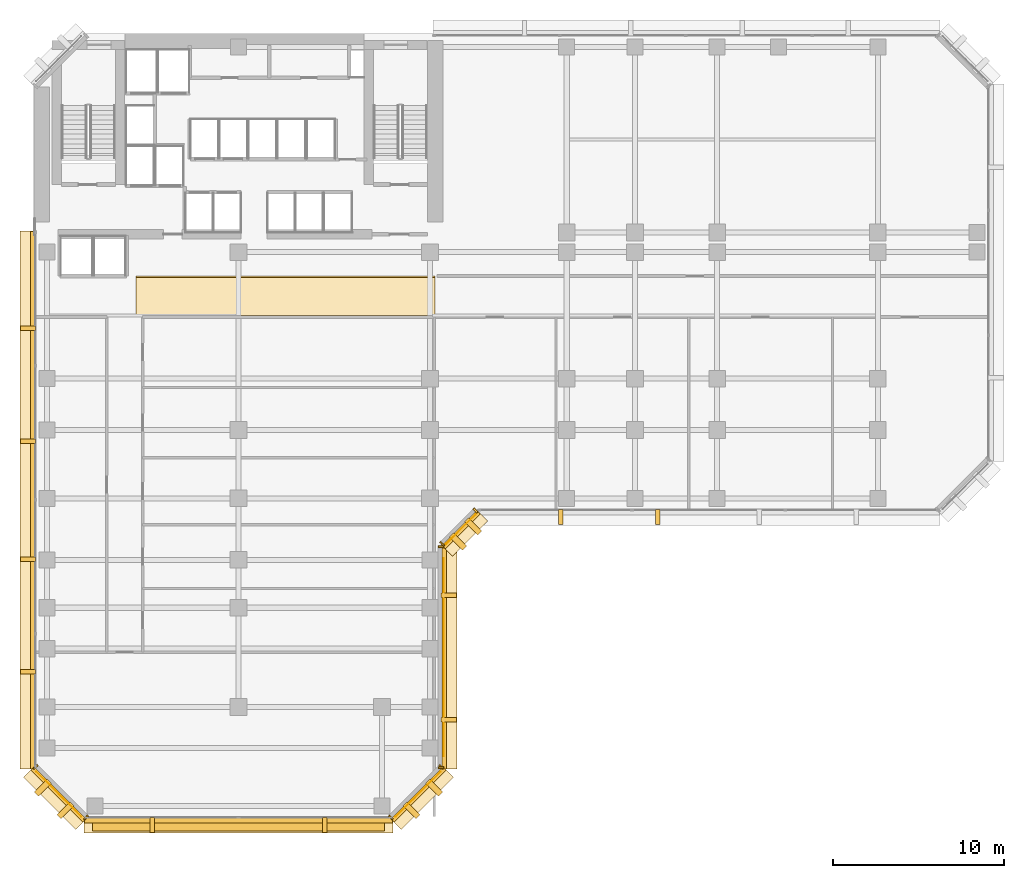
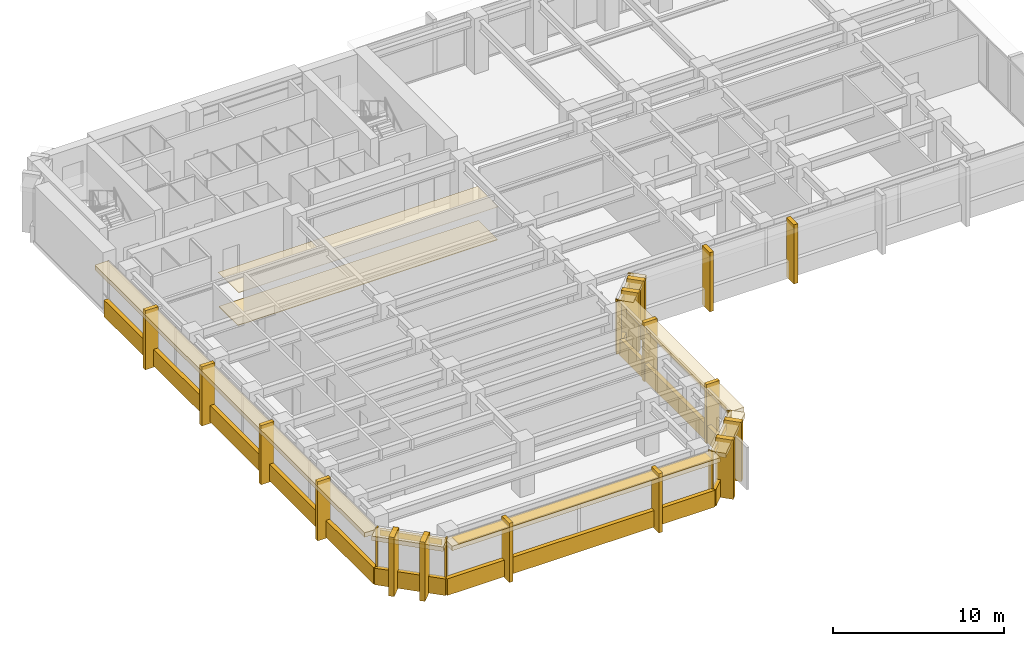
# One storey, part 9 of 13: 42 coverings, 1 shading device.
"""IFC4 building model written with IfcOpenShell, lengths in metres."""

import ifcopenshell
import ifcopenshell.guid

model = None  # the IFC model being written
_history = None  # IfcOwnerHistory: only IFC2X3 demands one
_inside = {}  # id of a spatial element -> (the spatial element, [elements in it])
_under = {}  # id of a project, library or spatial element -> (it, [spatial elements below it])
_declared = {}  # id of a project -> (the project, [libraries it declares])
_typed = {}  # id of a type object -> (the type object, [elements of that type])
_made_of = {}  # id of a material, layer set ... -> (it, [elements and type objects made of it])


def new_model(schema):
    """Start an empty IFC model of exactly this schema.

    Asked for "IFC4X3", IfcOpenShell would pick the latest addendum, in which some entities
    have other attributes; the version numbers below select the first issue.
    IFC2X3 requires an IfcOwnerHistory on every rooted entity: one is made here for all.
    """
    global model, _history
    if schema == "IFC4X3":
        model = ifcopenshell.file(schema_version=(4, 3, 0, 0))
    else:
        model = ifcopenshell.file(schema=schema)
    _inside.clear()
    _under.clear()
    _declared.clear()
    _typed.clear()
    _made_of.clear()
    _history = None
    if model.schema == "IFC2X3":
        org = make("IfcOrganization", Name="unknown")
        user = make(
            "IfcPersonAndOrganization",
            ThePerson=make("IfcPerson", FamilyName="unknown"),
            TheOrganization=org,
        )
        app = make(
            "IfcApplication",
            ApplicationDeveloper=org,
            Version="unknown",
            ApplicationFullName="unknown",
            ApplicationIdentifier="unknown",
        )
        _history = make(
            "IfcOwnerHistory",
            OwningUser=user,
            OwningApplication=app,
            ChangeAction="ADDED",
            CreationDate=0,
        )
    return model


def make(cls, **values):
    """One entity of the class cls with the attributes given. An attribute that is None is left unset."""
    return model.create_entity(
        cls, **{name: value for name, value in values.items() if value is not None}
    )


def rooted(cls, **values):
    """An entity with a GlobalId (a new one), such as an element, a storey or a relation."""
    return make(cls, GlobalId=ifcopenshell.guid.new(), OwnerHistory=_history, **values)


def si_unit(unit_type, name, prefix=None):
    """IfcSIUnit, for example si_unit("LENGTHUNIT", "METRE", prefix="MILLI")."""
    return make("IfcSIUnit", UnitType=unit_type, Prefix=prefix, Name=name)


def assignment(units):
    """IfcUnitAssignment: the units of a project."""
    return None if units is None else make("IfcUnitAssignment", Units=units)


def point(xyz):
    """IfcCartesianPoint."""
    return None if xyz is None else make("IfcCartesianPoint", Coordinates=xyz)


def direction(xyz):
    """IfcDirection."""
    return None if xyz is None else make("IfcDirection", DirectionRatios=xyz)


def frame(location, z_axis=None, x_axis=None):
    """IfcAxis2Placement3D, a coordinate frame: its origin and axes. An axis left out is left unset."""
    return make(
        "IfcAxis2Placement3D",
        Location=point(location),
        Axis=direction(z_axis),
        RefDirection=direction(x_axis),
    )


def frame_2d(location, x_axis=None):
    """IfcAxis2Placement2D, a coordinate frame in the plane: its origin and x axis."""
    return make(
        "IfcAxis2Placement2D", Location=point(location), RefDirection=direction(x_axis)
    )


def origin():
    """The frame at (0, 0, 0) with its axes left unset."""
    return frame((0.0, 0.0, 0.0))


def origin_2d():
    """The frame at (0, 0) in the plane with its x axis left unset."""
    return frame_2d((0.0, 0.0))


def place(relative_to, where):
    """IfcLocalPlacement: puts the frame where relative to a parent placement (None: the world)."""
    return make(
        "IfcLocalPlacement", PlacementRelTo=relative_to, RelativePlacement=where
    )


def context(
    kind, dimensions, precision=None, world=None, true_north=None, identifier=None
):
    """IfcGeometricRepresentationContext, for example the 3D "Model" context."""
    return make(
        "IfcGeometricRepresentationContext",
        ContextIdentifier=identifier,
        ContextType=kind,
        CoordinateSpaceDimension=dimensions,
        Precision=precision,
        WorldCoordinateSystem=world,
        TrueNorth=true_north,
    )


def subcontext(parent, identifier, kind, view, scale=None):
    """IfcGeometricRepresentationSubContext, for example "Body" below "Model"."""
    return make(
        "IfcGeometricRepresentationSubContext",
        ContextIdentifier=identifier,
        ContextType=kind,
        ParentContext=parent,
        TargetScale=scale,
        TargetView=view,
    )


def project(units=None, contexts=None):
    """IfcProject with its units and contexts."""
    return rooted(
        "IfcProject",
        Name="project",
        RepresentationContexts=contexts,
        UnitsInContext=assignment(units),
    )


def spatial(cls, under=None, at=None, **own):
    """A site, building, storey or space (cls), placed at a placement, below another one or the project."""
    s = rooted(cls, ObjectPlacement=at, **own)
    if under is not None:
        _under.setdefault(under.id(), (under, []))[1].append(s)
    return s


def polyline(points):
    """IfcPolyline through the points."""
    return make("IfcPolyline", Points=[point(p) for p in points])


def profile(cls, at=None, kind="AREA", **sizes):
    """A parametric profile (cls). Its sizes go by their IFC names, for example OverallWidth=200.0."""
    return make(cls, ProfileType=kind, Position=at, **sizes)


def rectangle(**sizes):
    """IfcRectangleProfileDef."""
    return profile("IfcRectangleProfileDef", **sizes)


def outline(outer, holes=None, kind="AREA"):
    """IfcArbitraryClosedProfileDef: a profile drawn as a closed curve; with holes, ...WithVoids."""
    if holes is None:
        return make("IfcArbitraryClosedProfileDef", ProfileType=kind, OuterCurve=outer)
    return make(
        "IfcArbitraryProfileDefWithVoids",
        ProfileType=kind,
        OuterCurve=outer,
        InnerCurves=holes,
    )


def extrude(swept, where, along, depth):
    """IfcExtrudedAreaSolid: the profile swept, set in the frame where, extruded along a direction by depth."""
    return make(
        "IfcExtrudedAreaSolid",
        SweptArea=swept,
        Position=where,
        ExtrudedDirection=direction(along),
        Depth=depth,
    )


def shape(context_of_items, identifier, shape_type, items):
    """IfcShapeRepresentation: the items that make up one representation, for example the "Body"."""
    return make(
        "IfcShapeRepresentation",
        ContextOfItems=context_of_items,
        RepresentationIdentifier=identifier,
        RepresentationType=shape_type,
        Items=items,
    )


def material(Name=None, Category=None):
    """IfcMaterial."""
    return make("IfcMaterial", Name=Name, Category=Category)


def layer(
    of_material, thickness, ventilated=None, Name=None, Category=None, Priority=None
):
    """IfcMaterialLayer: one layer of a wall or slab, of a material (None: an air gap)."""
    return make(
        "IfcMaterialLayer",
        Material=of_material,
        LayerThickness=thickness,
        IsVentilated=ventilated,
        Name=Name,
        Category=Category,
        Priority=Priority,
    )


def layer_set(layers, Name=None):
    """IfcMaterialLayerSet."""
    return make("IfcMaterialLayerSet", MaterialLayers=layers, LayerSetName=Name)


def made_of(thing, what):
    """Note that an element or type object is made of a material, layer set ...; save() writes the relation."""
    if what is not None:
        _made_of.setdefault(what.id(), (what, []))[1].append(thing)
    return thing


def type_object(cls, material=None, **own):
    """A type object (cls), such as IfcWallType, which elements share."""
    return made_of(rooted(cls, **own), material)


def element(
    cls,
    number,
    at=None,
    inside=None,
    cuts=None,
    type_object=None,
    material=None,
    context=None,
    identifier="Body",
    shape_type=None,
    held_by="IfcProductDefinitionShape",
    body=None,
    shapes=None,
    **own,
):
    """One element of the class cls, such as IfcWall. Its Tag is "e" and its number.

    at: its placement. inside: the storey or other place that contains it. cuts: it is an
    opening in that element (IfcRelVoidsElement). A single representation is given by context,
    identifier, shape_type and body (its items); several are given by shapes. held_by: the class
    of the entity that holds the representations. save() writes the other relations.
    """
    e = rooted(cls, Tag="e%d" % number, ObjectPlacement=at, **own)
    if body is not None:
        shapes = [shape(context, identifier, shape_type, body)]
    if shapes is not None:
        e.Representation = make(held_by, Representations=shapes)
    if inside is not None:
        _inside.setdefault(inside.id(), (inside, []))[1].append(e)
    if cuts is not None:
        rooted(
            "IfcRelVoidsElement", RelatingBuildingElement=cuts, RelatedOpeningElement=e
        )
    if type_object is not None:
        _typed.setdefault(type_object.id(), (type_object, []))[1].append(e)
    return made_of(e, material)


def aggregate(whole, parts):
    """IfcRelAggregates: a whole, such as a stair, and the parts it consists of."""
    return rooted("IfcRelAggregates", RelatingObject=whole, RelatedObjects=parts)


def save(model, path):
    """Write the relations noted so far, then the file.

    IfcRelAggregates (storeys below a building ...), IfcRelContainedInSpatialStructure (elements
    in a storey), IfcRelDefinesByType, IfcRelAssociatesMaterial and IfcRelDeclares: one each for
    every whole, place, type object, material and project.
    """
    for whole, parts in _under.values():
        aggregate(whole, parts)
    for where, things in _inside.values():
        rooted(
            "IfcRelContainedInSpatialStructure",
            RelatedElements=things,
            RelatingStructure=where,
        )
    for kind, things in _typed.values():
        rooted("IfcRelDefinesByType", RelatedObjects=things, RelatingType=kind)
    for what, things in _made_of.values():
        rooted("IfcRelAssociatesMaterial", RelatedObjects=things, RelatingMaterial=what)
    for by, libraries in _declared.values():
        rooted("IfcRelDeclares", RelatingContext=by, RelatedDefinitions=libraries)
    model.write(path)


model = new_model("IFC4")

# Units and contexts
model_context = context("Model", 3, precision=1e-05, world=origin(), true_north=direction((0.0, 1.0)))
body_context = subcontext(model_context, "Body", "Model", "MODEL_VIEW")
ifc_project = project(units=[si_unit("LENGTHUNIT", "METRE"), si_unit("AREAUNIT", "SQUARE_METRE"), si_unit("VOLUMEUNIT", "CUBIC_METRE"), si_unit("PLANEANGLEUNIT", "RADIAN"), si_unit("MASSUNIT", "GRAM", prefix="KILO")], contexts=[model_context])

# Site, building, storey
site_placement = place(None, origin())
site = spatial("IfcSite", under=ifc_project, at=site_placement, CompositionType="ELEMENT")
building_placement = place(site_placement, origin())
building = spatial("IfcBuilding", under=site, at=building_placement, Name="Kefirva Bronze Tower", CompositionType="ELEMENT")
storey_placement = place(building_placement, frame((0.0, 0.0, 85.800048828125)))
storey = spatial("IfcBuildingStorey", under=building, at=storey_placement, Name="L20", CompositionType="ELEMENT", Elevation=85.800048828125)

# Coverings
ifc_material_1 = material(Name="Acoustic mineral tile")
ifc_layer_1 = layer(ifc_material_1, 0.02490234375, Name="Acoustic mineral tile")
ifc_layer_set_1 = layer_set([ifc_layer_1], Name="Acoustic mineral tile")
covering_type_1 = type_object("IfcCoveringType", Name="Acoustic Mineral Suspended Ceiling 25mm", PredefinedType="CEILING", material=ifc_layer_set_1)
covering_1_placement = place(storey_placement, frame((0.0, 0.0, 2.39990234375)))
element("IfcCovering", 1, at=covering_1_placement, inside=storey, type_object=covering_type_1, Name="L20 Corridor Acoustic Ceiling", PredefinedType="CEILING", context=body_context, shape_type="SweptSolid", body=[
    extrude(outline(polyline([(6.0, 29.39990234375), (23.5, 29.39990234375), (23.5, 31.800048828125), (6.0, 31.800048828125), (6.0, 29.39990234375)])), origin(), (0.0, 0.0, 1.0), 0.025146484375),
])
ifc_material_2 = material(Name="Bronze anodised aluminium", Category="aluminium")
ifc_layer_2 = layer(ifc_material_2, 0.02001953125, Name="Bronze anodised aluminium")
ifc_layer_set_2 = layer_set([ifc_layer_2], Name="Bronze anodised aluminium")
covering_type_2 = type_object("IfcCoveringType", Name="Anodised Bronze Spandrel Cladding 20mm", PredefinedType="CLADDING", material=ifc_layer_set_2)
covering_2_placement = place(storey_placement, frame((12.0, -0.0400390625, -0.16015625), z_axis=(0.0, 0.0, 1.0), x_axis=(1.0, 0.0, 0.0)))
element("IfcCovering", 2, at=covering_2_placement, inside=storey, type_object=covering_type_2, Name="L20 Streamline Horizontal Spandrel Band 0", PredefinedType="CLADDING", context=body_context, shape_type="SweptSolid", body=[
    extrude(rectangle(XDim=18.0400390625, YDim=0.280029296875, at=origin_2d()), origin(), (0.0, 0.0, 1.0), 1.179931640625),
])
covering_3_placement = place(storey_placement, frame((22.507080078125, 1.492919921875, 3.2900390625), z_axis=(0.0, 0.0, 1.0), x_axis=(0.707106781187, 0.707106781187, 0.0)))
element("IfcCovering", 3, at=covering_3_placement, inside=storey, type_object=covering_type_2, Name="L20 Bronze Spandrel Cladding 1", PredefinedType="CLADDING", context=body_context, shape_type="SweptSolid", body=[
    extrude(rectangle(XDim=3.719482421875, YDim=0.02001953125, at=origin_2d()), origin(), (0.0, 0.0, 1.0), 0.39990234375),
])
for number, where, z_axis, x_axis, name in (
    (4, (20.91162109375, 0.137939453125, 0.0), (0.0, 0.0, 1.0), (0.707106781187, 0.707106781187, 0.0), "L20 Facade Joint Closure Panel 1S"),
    (5, (23.862060546875, 3.08837890625, 0.0), (0.0, 0.0, 1.0), (0.707106781187, 0.707106781187, 0.0), "L20 Facade Joint Closure Panel 1E"),
):
    element("IfcCovering", number, at=place(storey_placement, frame(where, z_axis=z_axis, x_axis=x_axis)), inside=storey, type_object=covering_type_2, Name=name, PredefinedType="CLADDING", context=body_context, shape_type="SweptSolid", body=[
        extrude(rectangle(XDim=0.10009765625, YDim=0.320068359375, at=origin_2d()), origin(), (0.0, 0.0, 1.0), 3.7099609375),
    ])
covering_4_placement = place(storey_placement, frame((22.5283203125, 1.4716796875, -0.16015625), z_axis=(0.0, 0.0, 1.0), x_axis=(0.707106781187, 0.707106781187, 0.0)))
element("IfcCovering", 6, at=covering_4_placement, inside=storey, type_object=covering_type_2, Name="L20 Streamline Horizontal Spandrel Band 1", PredefinedType="CLADDING", context=body_context, shape_type="SweptSolid", body=[
    extrude(rectangle(XDim=4.28271484375, YDim=0.280029296875, at=origin_2d()), origin(), (0.0, 0.0, 1.0), 1.179931640625),
])
covering_5_placement = place(storey_placement, frame((24.010009765625, 9.5, 3.2900390625), z_axis=(0.0, 0.0, 1.0), x_axis=(0.0, 1.0, 0.0)))
element("IfcCovering", 7, at=covering_5_placement, inside=storey, type_object=covering_type_2, Name="L20 Bronze Spandrel Cladding 2", PredefinedType="CLADDING", context=body_context, shape_type="SweptSolid", body=[
    extrude(rectangle(XDim=11.60107421875, YDim=0.02001953125, at=origin_2d()), origin(), (0.0, 0.0, 1.0), 0.39990234375),
])
for number, where, z_axis, x_axis, name in (
    (8, (23.840087890625, 3.034912109375, 0.0), (0.0, 0.0, 1.0), (0.0, 1.0, 0.0), "L20 Facade Joint Closure Panel 2S"),
    (9, (23.840087890625, 15.965087890625, 0.0), (0.0, 0.0, 1.0), (0.0, 1.0, 0.0), "L20 Facade Joint Closure Panel 2E"),
):
    element("IfcCovering", number, at=place(storey_placement, frame(where, z_axis=z_axis, x_axis=x_axis)), inside=storey, type_object=covering_type_2, Name=name, PredefinedType="CLADDING", context=body_context, shape_type="SweptSolid", body=[
        extrude(rectangle(XDim=0.10009765625, YDim=0.320068359375, at=origin_2d()), origin(), (0.0, 0.0, 1.0), 3.7099609375),
    ])
covering_6_placement = place(storey_placement, frame((24.0400390625, 9.5, -0.16015625), z_axis=(0.0, 0.0, 1.0), x_axis=(0.0, 1.0, 0.0)))
element("IfcCovering", 10, at=covering_6_placement, inside=storey, type_object=covering_type_2, Name="L20 Streamline Horizontal Spandrel Band 2", PredefinedType="CLADDING", context=body_context, shape_type="SweptSolid", body=[
    extrude(rectangle(XDim=13.0400390625, YDim=0.280029296875, at=origin_2d()), origin(), (0.0, 0.0, 1.0), 1.179931640625),
])
covering_7_placement = place(storey_placement, frame((25.007080078125, 16.992919921875, 3.2900390625), z_axis=(0.0, 0.0, 1.0), x_axis=(0.707106781187, 0.707106781187, 0.0)))
element("IfcCovering", 11, at=covering_7_placement, inside=storey, type_object=covering_type_2, Name="L20 Bronze Spandrel Cladding 3", PredefinedType="CLADDING", context=body_context, shape_type="SweptSolid", body=[
    extrude(rectangle(XDim=2.446533203125, YDim=0.02001953125, at=origin_2d()), origin(), (0.0, 0.0, 1.0), 0.39990234375),
])
for number, where, z_axis, x_axis, name in (
    (12, (23.91162109375, 16.137939453125, 0.0), (0.0, 0.0, 1.0), (0.707106781187, 0.707106781187, 0.0), "L20 Facade Joint Closure Panel 3S"),
    (13, (25.862060546875, 18.08837890625, 0.0), (0.0, 0.0, 1.0), (0.707106781187, 0.707106781187, 0.0), "L20 Facade Joint Closure Panel 3E"),
):
    element("IfcCovering", number, at=place(storey_placement, frame(where, z_axis=z_axis, x_axis=x_axis)), inside=storey, type_object=covering_type_2, Name=name, PredefinedType="CLADDING", context=body_context, shape_type="SweptSolid", body=[
        extrude(rectangle(XDim=0.10009765625, YDim=0.320068359375, at=origin_2d()), origin(), (0.0, 0.0, 1.0), 3.7099609375),
    ])
covering_8_placement = place(storey_placement, frame((25.0283203125, 16.9716796875, -0.16015625), z_axis=(0.0, 0.0, 1.0), x_axis=(0.707106781187, 0.707106781187, 0.0)))
element("IfcCovering", 14, at=covering_8_placement, inside=storey, type_object=covering_type_2, Name="L20 Streamline Horizontal Spandrel Band 3", PredefinedType="CLADDING", context=body_context, shape_type="SweptSolid", body=[
    extrude(rectangle(XDim=2.868408203125, YDim=0.280029296875, at=origin_2d()), origin(), (0.0, 0.0, 1.0), 1.179931640625),
])
covering_9_placement = place(storey_placement, frame((-0.0400390625, 18.697509765625, -0.16015625), z_axis=(0.0, 0.0, 1.0), x_axis=(0.0, -1.0, 0.0)))
element("IfcCovering", 15, at=covering_9_placement, inside=storey, type_object=covering_type_2, Name="L20 Streamline Horizontal Spandrel Band 10", PredefinedType="CLADDING", context=body_context, shape_type="SweptSolid", body=[
    extrude(rectangle(XDim=31.43505859375, YDim=0.280029296875, at=origin_2d()), origin(), (0.0, 0.0, 1.0), 1.179931640625),
])
covering_10_placement = place(storey_placement, frame((1.492919921875, 1.492919921875, 3.2900390625), z_axis=(0.0, 0.0, 1.0), x_axis=(0.707106781187, -0.707106781187, 0.0)))
element("IfcCovering", 16, at=covering_10_placement, inside=storey, type_object=covering_type_2, Name="L20 Bronze Spandrel Cladding 7", PredefinedType="CLADDING", context=body_context, shape_type="SweptSolid", body=[
    extrude(rectangle(XDim=3.719482421875, YDim=0.02001953125, at=origin_2d()), origin(), (0.0, 0.0, 1.0), 0.39990234375),
])
for number, where, z_axis, x_axis, name in (
    (17, (0.137939453125, 3.08837890625, 0.0), (0.0, 0.0, 1.0), (0.707106781187, -0.707106781187, 0.0), "L20 Facade Joint Closure Panel 7S"),
    (18, (3.08837890625, 0.137939453125, 0.0), (0.0, 0.0, 1.0), (0.707106781187, -0.707106781187, 0.0), "L20 Facade Joint Closure Panel 7E"),
):
    element("IfcCovering", number, at=place(storey_placement, frame(where, z_axis=z_axis, x_axis=x_axis)), inside=storey, type_object=covering_type_2, Name=name, PredefinedType="CLADDING", context=body_context, shape_type="SweptSolid", body=[
        extrude(rectangle(XDim=0.10009765625, YDim=0.320068359375, at=origin_2d()), origin(), (0.0, 0.0, 1.0), 3.7099609375),
    ])
covering_11_placement = place(storey_placement, frame((1.4716796875, 1.4716796875, -0.16015625), z_axis=(0.0, 0.0, 1.0), x_axis=(0.707106781187, -0.707106781187, 0.0)))
element("IfcCovering", 19, at=covering_11_placement, inside=storey, type_object=covering_type_2, Name="L20 Streamline Horizontal Spandrel Band 11", PredefinedType="CLADDING", context=body_context, shape_type="SweptSolid", body=[
    extrude(rectangle(XDim=4.28271484375, YDim=0.280029296875, at=origin_2d()), origin(), (0.0, 0.0, 1.0), 1.179931640625),
])

# Shading device
ifc_layer_3 = layer(ifc_material_2, 0.090087890625, Name="Bronze anodised aluminium")
ifc_layer_set_3 = layer_set([ifc_layer_3], Name="Bronze anodised aluminium")
shading_device_type = type_object("IfcShadingDeviceType", Name="Horizontal Bronze Sunshade Band 750mm", PredefinedType="JALOUSIE", material=ifc_layer_set_3)
shading_device_placement = place(storey_placement, frame((12.0, -0.294921875, 3.60498046875), z_axis=(0.0, 0.0, 1.0), x_axis=(1.0, 0.0, 0.0)))
element("IfcShadingDevice", 20, at=shading_device_placement, inside=storey, type_object=shading_device_type, Name="L20 Horizontal Bronze Sunshade Band 0", PredefinedType="JALOUSIE", context=body_context, shape_type="SweptSolid", body=[
    extrude(rectangle(XDim=17.090087890625, YDim=0.75, at=origin_2d()), origin(), (0.0, 0.0, 1.0), 0.090087890625),
])

# Coverings
ifc_material_3 = material(Name="Calcium sulphate access tile")
ifc_layer_4 = layer(ifc_material_3, 0.044921875, Name="Calcium sulphate access tile")
ifc_layer_set_4 = layer_set([ifc_layer_4], Name="Calcium sulphate access tile")
covering_type_3 = type_object("IfcCoveringType", Name="Raised Access Office Flooring 45mm", PredefinedType="FLOORING", material=ifc_layer_set_4)
covering_12_placement = place(storey_placement, origin())
element("IfcCovering", 21, at=covering_12_placement, inside=storey, type_object=covering_type_3, Name="L20 Architectural Finish Flooring", PredefinedType="FLOORING", context=body_context, shape_type="SweptSolid", body=[
    extrude(outline(polyline([(6.0, 29.47998046875), (23.5, 29.47998046875), (23.5, 31.719970703125), (6.0, 31.719970703125), (6.0, 29.47998046875)])), origin(), (0.0, 0.0, 1.0), 0.044921875),
])
ifc_layer_5 = layer(ifc_material_2, 0.179931640625, Name="Bronze anodised aluminium")
ifc_layer_set_5 = layer_set([ifc_layer_5], Name="Bronze anodised aluminium")
covering_type_4 = type_object("IfcCoveringType", Name="Streamline Bronze Sunshade Eyebrow Cladding 180mm", PredefinedType="CLADDING", material=ifc_layer_set_5)
covering_13_placement = place(storey_placement, frame((12.0, -0.31005859375, 3.39013671875), z_axis=(0.0, 0.0, 1.0), x_axis=(1.0, 0.0, 0.0)))
element("IfcCovering", 22, at=covering_13_placement, inside=storey, type_object=covering_type_4, Name="L20 Streamline Bronze Sunshade Eyebrow 0", PredefinedType="CLADDING", context=body_context, shape_type="SweptSolid", body=[
    extrude(rectangle(XDim=18.080078125, YDim=0.93994140625, at=origin_2d()), origin(), (0.0, 0.0, 1.0), 0.320068359375),
])
covering_14_placement = place(storey_placement, frame((22.71923828125, 1.28076171875, 3.39013671875), z_axis=(0.0, 0.0, 1.0), x_axis=(0.707106781187, 0.707106781187, 0.0)))
element("IfcCovering", 23, at=covering_14_placement, inside=storey, type_object=covering_type_4, Name="L20 Streamline Bronze Sunshade Eyebrow 1", PredefinedType="CLADDING", context=body_context, shape_type="SweptSolid", body=[
    extrude(rectangle(XDim=4.322509765625, YDim=0.93994140625, at=origin_2d()), origin(), (0.0, 0.0, 1.0), 0.320068359375),
])
covering_15_placement = place(storey_placement, frame((24.31005859375, 9.5, 3.39013671875), z_axis=(0.0, 0.0, 1.0), x_axis=(0.0, 1.0, 0.0)))
element("IfcCovering", 24, at=covering_15_placement, inside=storey, type_object=covering_type_4, Name="L20 Streamline Bronze Sunshade Eyebrow 2", PredefinedType="CLADDING", context=body_context, shape_type="SweptSolid", body=[
    extrude(rectangle(XDim=13.080078125, YDim=0.93994140625, at=origin_2d()), origin(), (0.0, 0.0, 1.0), 0.320068359375),
])
covering_16_placement = place(storey_placement, frame((25.21923828125, 16.78076171875, 3.39013671875), z_axis=(0.0, 0.0, 1.0), x_axis=(0.707106781187, 0.707106781187, 0.0)))
element("IfcCovering", 25, at=covering_16_placement, inside=storey, type_object=covering_type_4, Name="L20 Streamline Bronze Sunshade Eyebrow 3", PredefinedType="CLADDING", context=body_context, shape_type="SweptSolid", body=[
    extrude(rectangle(XDim=2.908447265625, YDim=0.93994140625, at=origin_2d()), origin(), (0.0, 0.0, 1.0), 0.320068359375),
])
covering_17_placement = place(storey_placement, frame((-0.31005859375, 18.697509765625, 3.39013671875), z_axis=(0.0, 0.0, 1.0), x_axis=(0.0, -1.0, 0.0)))
element("IfcCovering", 26, at=covering_17_placement, inside=storey, type_object=covering_type_4, Name="L20 Streamline Bronze Sunshade Eyebrow 10", PredefinedType="CLADDING", context=body_context, shape_type="SweptSolid", body=[
    extrude(rectangle(XDim=31.47509765625, YDim=0.93994140625, at=origin_2d()), origin(), (0.0, 0.0, 1.0), 0.320068359375),
])
covering_18_placement = place(storey_placement, frame((1.28076171875, 1.28076171875, 3.39013671875), z_axis=(0.0, 0.0, 1.0), x_axis=(0.707106781187, -0.707106781187, 0.0)))
element("IfcCovering", 27, at=covering_18_placement, inside=storey, type_object=covering_type_4, Name="L20 Streamline Bronze Sunshade Eyebrow 11", PredefinedType="CLADDING", context=body_context, shape_type="SweptSolid", body=[
    extrude(rectangle(XDim=4.322509765625, YDim=0.93994140625, at=origin_2d()), origin(), (0.0, 0.0, 1.0), 0.320068359375),
])
ifc_layer_6 = layer(ifc_material_2, 0.260009765625, Name="Bronze anodised aluminium")
ifc_layer_set_6 = layer_set([ifc_layer_6], Name="Bronze anodised aluminium")
covering_type_5 = type_object("IfcCoveringType", Name="Unbroken Bronze Buttress Fin Cladding 260mm", PredefinedType="CLADDING", material=ifc_layer_set_6)
for number, where, z_axis, x_axis, name in (
    (28, (6.9599609375, -0.300048828125, -0.25), (0.0, 0.0, 1.0), (1.0, 0.0, 0.0), "L20 Unbroken Vertical Bronze Rib Fin 1"),
    (29, (17.0400390625, -0.300048828125, -0.25), (0.0, 0.0, 1.0), (1.0, 0.0, 0.0), "L20 Unbroken Vertical Bronze Rib Fin 2"),
):
    element("IfcCovering", number, at=place(storey_placement, frame(where, z_axis=z_axis, x_axis=x_axis)), inside=storey, type_object=covering_type_5, Name=name, PredefinedType="CLADDING", context=body_context, shape_type="SweptSolid", body=[
        extrude(rectangle(XDim=0.260009765625, YDim=0.8798828125, at=origin_2d()), origin(), (0.0, 0.0, 1.0), 4.2099609375),
    ])
for number, where, z_axis, x_axis, name in (
    (30, (22.122802734375, 0.55712890625, -0.25), (0.0, 0.0, 1.0), (0.707106781187, 0.707106781187, 0.0), "L20 Chamfered Corner Buttress Fin Cladding 3"),
    (31, (23.44287109375, 1.877197265625, -0.25), (0.0, 0.0, 1.0), (0.707106781187, 0.707106781187, 0.0), "L20 Chamfered Corner Buttress Fin Cladding 4"),
):
    element("IfcCovering", number, at=place(storey_placement, frame(where, z_axis=z_axis, x_axis=x_axis)), inside=storey, type_object=covering_type_5, Name=name, PredefinedType="CLADDING", context=body_context, shape_type="SweptSolid", body=[
        extrude(rectangle(XDim=0.340087890625, YDim=1.080078125, at=origin_2d()), origin(), (0.0, 0.0, 1.0), 4.2099609375),
    ])
for number, where, z_axis, x_axis, name in (
    (32, (24.300048828125, 5.860107421875, -0.25), (0.0, 0.0, 1.0), (0.0, 1.0, 0.0), "L20 Unbroken Vertical Bronze Rib Fin 5"),
    (33, (24.300048828125, 13.139892578125, -0.25), (0.0, 0.0, 1.0), (0.0, 1.0, 0.0), "L20 Unbroken Vertical Bronze Rib Fin 6"),
):
    element("IfcCovering", number, at=place(storey_placement, frame(where, z_axis=z_axis, x_axis=x_axis)), inside=storey, type_object=covering_type_5, Name=name, PredefinedType="CLADDING", context=body_context, shape_type="SweptSolid", body=[
        extrude(rectangle(XDim=0.260009765625, YDim=0.8798828125, at=origin_2d()), origin(), (0.0, 0.0, 1.0), 4.2099609375),
    ])
for number, where, z_axis, x_axis, name in (
    (34, (24.8427734375, 16.277099609375, -0.25), (0.0, 0.0, 1.0), (0.707106781187, 0.707106781187, 0.0), "L20 Chamfered Corner Buttress Fin Cladding 7"),
    (35, (25.722900390625, 17.1572265625, -0.25), (0.0, 0.0, 1.0), (0.707106781187, 0.707106781187, 0.0), "L20 Chamfered Corner Buttress Fin Cladding 8"),
):
    element("IfcCovering", number, at=place(storey_placement, frame(where, z_axis=z_axis, x_axis=x_axis)), inside=storey, type_object=covering_type_5, Name=name, PredefinedType="CLADDING", context=body_context, shape_type="SweptSolid", body=[
        extrude(rectangle(XDim=0.340087890625, YDim=1.080078125, at=origin_2d()), origin(), (0.0, 0.0, 1.0), 4.2099609375),
    ])
for number, where, z_axis, x_axis, name in (
    (36, (30.860107421875, 17.699951171875, -0.25), (0.0, 0.0, 1.0), (1.0, 0.0, 0.0), "L20 Unbroken Vertical Bronze Rib Fin 9"),
    (37, (36.530029296875, 17.699951171875, -0.25), (0.0, 0.0, 1.0), (1.0, 0.0, 0.0), "L20 Unbroken Vertical Bronze Rib Fin 10"),
    (38, (-0.300048828125, 28.743896484375, -0.25), (0.0, 0.0, 1.0), (0.0, -1.0, 0.0), "L20 Unbroken Vertical Bronze Rib Fin 25"),
    (39, (-0.300048828125, 22.15087890625, -0.25), (0.0, 0.0, 1.0), (0.0, -1.0, 0.0), "L20 Unbroken Vertical Bronze Rib Fin 26"),
    (40, (-0.300048828125, 15.244140625, -0.25), (0.0, 0.0, 1.0), (0.0, -1.0, 0.0), "L20 Unbroken Vertical Bronze Rib Fin 27"),
    (41, (-0.300048828125, 8.651123046875, -0.25), (0.0, 0.0, 1.0), (0.0, -1.0, 0.0), "L20 Unbroken Vertical Bronze Rib Fin 28"),
):
    element("IfcCovering", number, at=place(storey_placement, frame(where, z_axis=z_axis, x_axis=x_axis)), inside=storey, type_object=covering_type_5, Name=name, PredefinedType="CLADDING", context=body_context, shape_type="SweptSolid", body=[
        extrude(rectangle(XDim=0.260009765625, YDim=0.8798828125, at=origin_2d()), origin(), (0.0, 0.0, 1.0), 4.2099609375),
    ])
for number, where, z_axis, x_axis, name in (
    (42, (0.55712890625, 1.877197265625, -0.25), (0.0, 0.0, 1.0), (0.707106781187, -0.707106781187, 0.0), "L20 Chamfered Corner Buttress Fin Cladding 29"),
    (43, (1.877197265625, 0.55712890625, -0.25), (0.0, 0.0, 1.0), (0.707106781187, -0.707106781187, 0.0), "L20 Chamfered Corner Buttress Fin Cladding 30"),
):
    element("IfcCovering", number, at=place(storey_placement, frame(where, z_axis=z_axis, x_axis=x_axis)), inside=storey, type_object=covering_type_5, Name=name, PredefinedType="CLADDING", context=body_context, shape_type="SweptSolid", body=[
        extrude(rectangle(XDim=0.340087890625, YDim=1.080078125, at=origin_2d()), origin(), (0.0, 0.0, 1.0), 4.2099609375),
    ])

save(model, "model.ifc")
